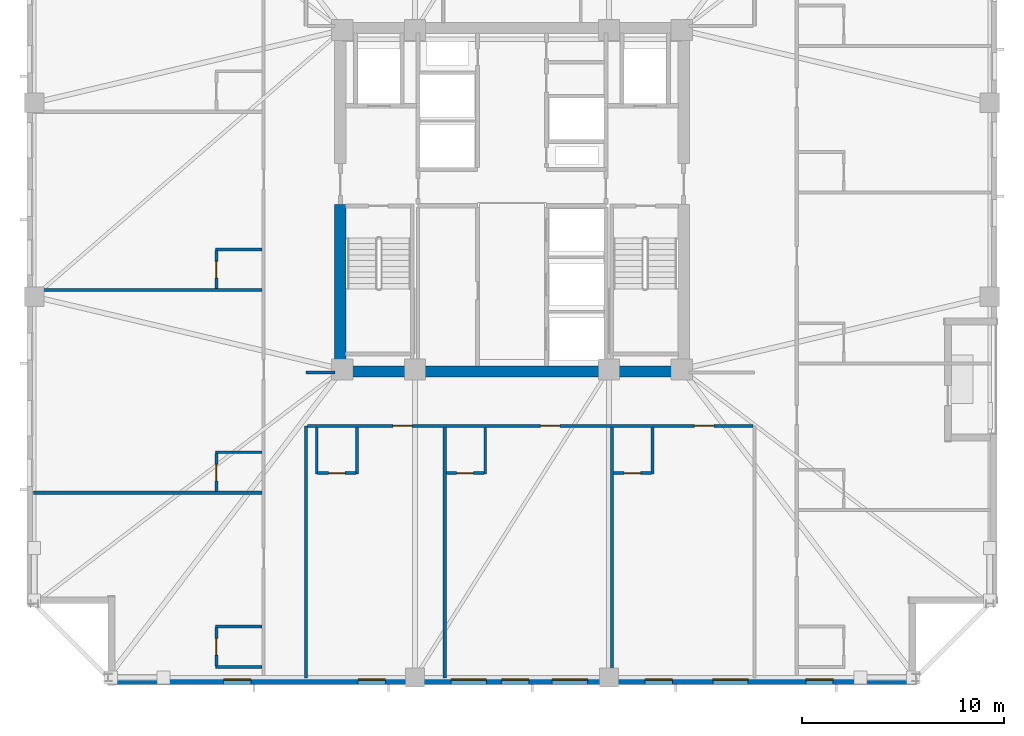
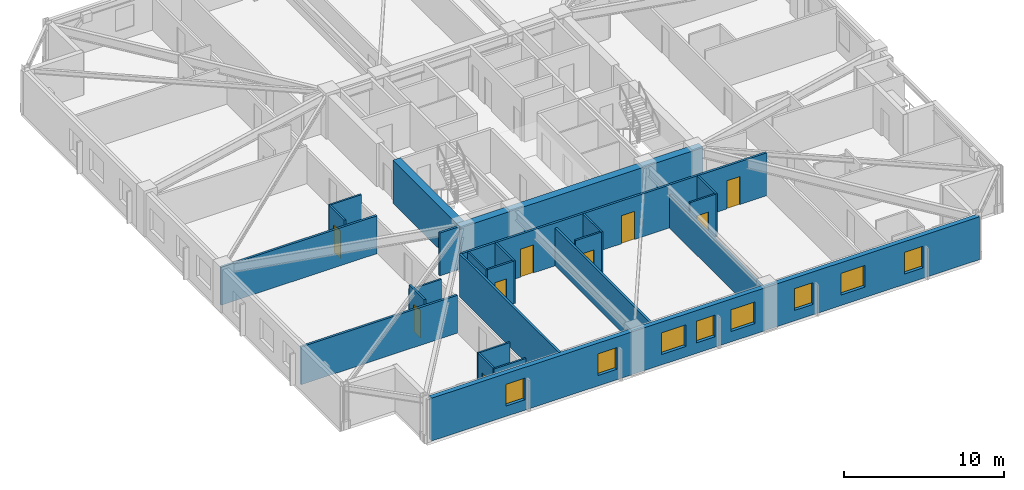
# One storey, part 2 of 11: 24 walls, 9 doors, 8 windows, 17 openings.
"""IFC4 building model written with IfcOpenShell, lengths in metres."""

from ifc_helpers import new_model, si_unit, direction, frame, frame_2d, origin, place, context, subcontext, project, spatial, rectangle, extrude, material, layer, layer_set, type_object, element, fill, save


model = new_model("IFC4")

# Units and contexts
model_context = context("Model", 3, precision=1e-05, world=origin(), true_north=direction((0.0, 1.0)))
body_context = subcontext(model_context, "Body", "Model", "MODEL_VIEW")
ifc_project = project(units=[si_unit("LENGTHUNIT", "METRE"), si_unit("AREAUNIT", "SQUARE_METRE"), si_unit("VOLUMEUNIT", "CUBIC_METRE"), si_unit("PLANEANGLEUNIT", "RADIAN"), si_unit("MASSUNIT", "GRAM", prefix="KILO")], contexts=[model_context])

# Site, building, storey
site_placement = place(None, origin())
site = spatial("IfcSite", under=ifc_project, at=site_placement, CompositionType="ELEMENT")
building_placement = place(site_placement, origin())
building = spatial("IfcBuilding", under=site, at=building_placement, Name="Cairnveth Concourse Tower", CompositionType="ELEMENT")
storey_placement = place(building_placement, frame((0.0, 0.0, 176.0)))
storey = spatial("IfcBuildingStorey", under=building, at=storey_placement, Name="L48", CompositionType="ELEMENT", Elevation=176.0)

# Walls
ifc_material_1 = material(Name="Gypsum Plasterboard Partition", Category="gypsum")
ifc_layer_1 = layer(ifc_material_1, 0.159912109375)
ifc_layer_set_1 = layer_set([ifc_layer_1], Name="Gypsum Plasterboard Partition")
wall_type_1 = type_object("IfcWallType", Name="ACOUSTIC PARTY WALL 180", PredefinedType="PARTITIONING", material=ifc_layer_set_1)
wall_1_placement = place(storey_placement, frame((41.800048828125, 15.324951171875, 0.0), z_axis=(0.0, 0.0, 1.0), x_axis=(0.0, 1.0, 0.0)))
element("IfcWall", 1, at=wall_1_placement, inside=storey, type_object=wall_type_1, Name="Interior Wall IW-L48-037", PredefinedType="PARTITIONING", context=body_context, shape_type="SweptSolid", body=[
    extrude(rectangle(XDim=12.47509765625, YDim=0.159912109375, at=frame_2d((6.237548828125, 0.0))), origin(), (0.0, 0.0, 1.0), 3.280029296875),
])
wall_2_placement = place(storey_placement, frame((41.800048828125, 30.449951171875, 0.0), z_axis=(0.0, 0.0, 1.0), x_axis=(1.0, 0.0, 0.0)))
element("IfcWall", 2, at=wall_2_placement, inside=storey, type_object=wall_type_1, Name="Interior Wall IW-L48-039", PredefinedType="PARTITIONING", context=body_context, shape_type="SweptSolid", body=[
    extrude(rectangle(XDim=1.43505859375, YDim=0.159912109375, at=frame_2d((0.717529296875, 0.0))), origin(), (0.0, 0.0, 1.0), 3.280029296875),
])

# Wall, openings, doors
wall_3_placement = place(storey_placement, frame((41.864990234375, 27.800048828125, 0.0), z_axis=(0.0, 0.0, 1.0), x_axis=(1.0, 0.0, 0.0)))
wall_3 = element("IfcWall", 3, at=wall_3_placement, inside=storey, type_object=wall_type_1, Name="Interior Wall IW-L48-046", PredefinedType="PARTITIONING", context=body_context, shape_type="SweptSolid", body=[
    extrude(rectangle(XDim=22.070068359375, YDim=0.159912109375, at=frame_2d((11.03515625, 0.0))), origin(), (0.0, 0.0, 1.0), 3.280029296875),
])
opening_1_placement = place(wall_3_placement, frame((4.232177734375, 0.0, 0.0)))
opening_1 = element("IfcOpeningElement", 4, at=opening_1_placement, cuts=wall_3, Name="Opening ID09", PredefinedType="OPENING", context=body_context, shape_type="SweptSolid", body=[
    extrude(rectangle(XDim=0.9599609375, YDim=2.14990234375, at=frame_2d((0.47998046875, 1.074951171875))), frame((0.0, 0.08984375, 0.0), z_axis=(0.0, -1.0, 0.0), x_axis=(1.0, 0.0, 0.0)), (0.0, 0.0, 1.0), 0.179931640625),
])
opening_2_placement = place(wall_3_placement, frame((11.544921875, 0.0, 0.0)))
opening_2 = element("IfcOpeningElement", 5, at=opening_2_placement, cuts=wall_3, Name="Opening ID09", PredefinedType="OPENING", context=body_context, shape_type="SweptSolid", body=[
    extrude(rectangle(XDim=0.9599609375, YDim=2.14990234375, at=frame_2d((0.47998046875, 1.074951171875))), frame((0.0, 0.08984375, 0.0), z_axis=(0.0, -1.0, 0.0), x_axis=(1.0, 0.0, 0.0)), (0.0, 0.0, 1.0), 0.179931640625),
])
opening_3_placement = place(wall_3_placement, frame((19.16796875, 0.0, 0.0)))
opening_3 = element("IfcOpeningElement", 6, at=opening_3_placement, cuts=wall_3, Name="Opening ID09", PredefinedType="OPENING", context=body_context, shape_type="SweptSolid", body=[
    extrude(rectangle(XDim=0.9599609375, YDim=2.14990234375, at=frame_2d((0.47998046875, 1.074951171875))), frame((0.0, 0.08984375, 0.0), z_axis=(0.0, -1.0, 0.0), x_axis=(1.0, 0.0, 0.0)), (0.0, 0.0, 1.0), 0.179931640625),
])
ifc_material_2 = material(Name="Solid Core Hardwood Timber Leaf", Category="wood")
door_type_1 = type_object("IfcDoorType", Name="HOTEL ENTRANCE DOOR 960X2150", OperationType="NOTDEFINED", PredefinedType="DOOR", material=ifc_material_2)
door_1_placement = place(opening_1_placement, origin())
door_1 = element("IfcDoor", 7, at=door_1_placement, inside=storey, type_object=door_type_1, Name="Hotel Room Door L48-S1", OperationType="SINGLE_SWING_LEFT", OverallHeight=2.14990234375, OverallWidth=0.9599609375, PredefinedType="DOOR", context=body_context, shape_type="SweptSolid", body=[
    extrude(rectangle(XDim=0.9599609375, YDim=2.14990234375, at=frame_2d((0.47998046875, 1.074951171875))), frame((0.0, 0.02490234375, 0.0), z_axis=(0.0, -1.0, 0.0), x_axis=(1.0, 0.0, 0.0)), (0.0, 0.0, 1.0), 0.050048828125),
])
fill(opening_1, door_1)
door_2_placement = place(opening_2_placement, origin())
door_2 = element("IfcDoor", 8, at=door_2_placement, inside=storey, type_object=door_type_1, Name="Hotel Room Door L48-S2", OperationType="SINGLE_SWING_LEFT", OverallHeight=2.14990234375, OverallWidth=0.9599609375, PredefinedType="DOOR", context=body_context, shape_type="SweptSolid", body=[
    extrude(rectangle(XDim=0.9599609375, YDim=2.14990234375, at=frame_2d((0.47998046875, 1.074951171875))), frame((0.0, 0.02490234375, 0.0), z_axis=(0.0, -1.0, 0.0), x_axis=(1.0, 0.0, 0.0)), (0.0, 0.0, 1.0), 0.050048828125),
])
fill(opening_2, door_2)
door_3_placement = place(opening_3_placement, origin())
door_3 = element("IfcDoor", 9, at=door_3_placement, inside=storey, type_object=door_type_1, Name="Hotel Room Door L48-S3", OperationType="SINGLE_SWING_LEFT", OverallHeight=2.14990234375, OverallWidth=0.9599609375, PredefinedType="DOOR", context=body_context, shape_type="SweptSolid", body=[
    extrude(rectangle(XDim=0.9599609375, YDim=2.14990234375, at=frame_2d((0.47998046875, 1.074951171875))), frame((0.0, 0.02490234375, 0.0), z_axis=(0.0, -1.0, 0.0), x_axis=(1.0, 0.0, 0.0)), (0.0, 0.0, 1.0), 0.050048828125),
])
fill(opening_3, door_3)

# Walls
wall_4_placement = place(storey_placement, frame((48.67431640625, 15.324951171875, 0.0), z_axis=(0.0, 0.0, 1.0), x_axis=(0.0, 1.0, 0.0)))
element("IfcWall", 10, at=wall_4_placement, inside=storey, type_object=wall_type_1, Name="Interior Wall IW-L48-052", PredefinedType="PARTITIONING", context=body_context, shape_type="SweptSolid", body=[
    extrude(rectangle(XDim=12.39501953125, YDim=0.159912109375, at=frame_2d((6.197509765625, 0.0))), origin(), (0.0, 0.0, 1.0), 2.89599609375),
])
wall_5_placement = place(storey_placement, frame((56.955810546875, 15.324951171875, 0.0), z_axis=(0.0, 0.0, 1.0), x_axis=(0.0, 1.0, 0.0)))
element("IfcWall", 11, at=wall_5_placement, inside=storey, type_object=wall_type_1, Name="Interior Wall IW-L48-055", PredefinedType="PARTITIONING", context=body_context, shape_type="SweptSolid", body=[
    extrude(rectangle(XDim=12.39501953125, YDim=0.159912109375, at=frame_2d((6.197509765625, 0.0))), origin(), (0.0, 0.0, 1.0), 2.554931640625),
])
for number, where, z_axis, x_axis, name in (
    (12, (28.324951171875, 24.492919921875, 0.0), (0.0, 0.0, 1.0), (1.0, 0.0, 0.0), "Interior Wall IW-L48-061"),
    (13, (28.324951171875, 34.53271484375, 0.0), (0.0, 0.0, 1.0), (1.0, 0.0, 0.0), "Interior Wall IW-L48-064"),
):
    element("IfcWall", number, at=place(storey_placement, frame(where, z_axis=z_axis, x_axis=x_axis)), inside=storey, type_object=wall_type_1, Name=name, PredefinedType="PARTITIONING", context=body_context, shape_type="SweptSolid", body=[
        extrude(rectangle(XDim=11.295166015625, YDim=0.159912109375, at=frame_2d((5.6474609375, 0.0))), origin(), (0.0, 0.0, 1.0), 2.89599609375),
    ])
ifc_material_3 = material(Name="Concrete N80 (80 MPa)", Category="concrete")
ifc_layer_2 = layer(ifc_material_3, 0.550048828125)
ifc_layer_set_2 = layer_set([ifc_layer_2], Name="Concrete N80 (80 MPa)")
wall_type_2 = type_object("IfcWallType", Name="CORE SHEAR WALL 550", PredefinedType="SHEAR", material=ifc_layer_set_2)
wall_6_placement = place(storey_placement, frame((43.22509765625, 30.5, 0.0), z_axis=(0.0, 0.0, 1.0), x_axis=(1.0, 0.0, 0.0)))
element("IfcWall", 14, at=wall_6_placement, inside=storey, type_object=wall_type_2, Name="Core South Shear Wall L48", PredefinedType="SHEAR", context=body_context, shape_type="SweptSolid", body=[
    extrude(rectangle(XDim=17.5498046875, YDim=0.550048828125, at=frame_2d((8.77490234375, 0.0))), origin(), (0.0, 0.0, 1.0), 3.280029296875),
])
wall_7_placement = place(storey_placement, frame((43.5, 30.764892578125, 0.0), z_axis=(0.0, 0.0, 1.0), x_axis=(0.0, 1.0, 0.0)))
element("IfcWall", 15, at=wall_7_placement, inside=storey, type_object=wall_type_2, Name="Core West Shear Wall S L48", PredefinedType="SHEAR", context=body_context, shape_type="SweptSolid", body=[
    extrude(rectangle(XDim=7.985107421875, YDim=0.550048828125, at=frame_2d((3.99267578125, 0.0))), origin(), (0.0, 0.0, 1.0), 3.280029296875),
])
ifc_layer_3 = layer(ifc_material_1, 0.1298828125)
ifc_layer_set_3 = layer_set([ifc_layer_3], Name="Gypsum Plasterboard Partition")
wall_type_3 = type_object("IfcWallType", Name="WET AREA PARTITION 140", PredefinedType="PLUMBINGWALL", material=ifc_layer_set_3)
for number, where, z_axis, x_axis, name in (
    (16, (42.330078125, 25.419921875, 0.0), (0.0, 0.0, 1.0), (0.0, 1.0, 0.0), "Interior Wall IW-L48-049"),
    (17, (44.330078125, 25.419921875, 0.0), (0.0, 0.0, 1.0), (0.0, 1.0, 0.0), "Interior Wall IW-L48-050"),
):
    element("IfcWall", number, at=place(storey_placement, frame(where, z_axis=z_axis, x_axis=x_axis)), inside=storey, type_object=wall_type_3, Name=name, PredefinedType="PLUMBINGWALL", context=body_context, shape_type="SweptSolid", body=[
        extrude(rectangle(XDim=2.315185546875, YDim=0.1298828125, at=frame_2d((1.15771484375, 0.0))), origin(), (0.0, 0.0, 1.0), 3.280029296875),
    ])

# Wall, opening, door
wall_8_placement = place(storey_placement, frame((42.3798828125, 25.469970703125, 0.0), z_axis=(0.0, 0.0, 1.0), x_axis=(1.0, 0.0, 0.0)))
wall_8 = element("IfcWall", 18, at=wall_8_placement, inside=storey, type_object=wall_type_3, Name="Interior Wall IW-L48-051", PredefinedType="PLUMBINGWALL", context=body_context, shape_type="SweptSolid", body=[
    extrude(rectangle(XDim=1.900146484375, YDim=0.1298828125, at=frame_2d((0.9501953125, 0.0))), origin(), (0.0, 0.0, 1.0), 3.280029296875),
])
opening_4_placement = place(wall_8_placement, frame((0.5400390625, 0.0, 0.0)))
opening_4 = element("IfcOpeningElement", 19, at=opening_4_placement, cuts=wall_8, Name="Opening ID22", PredefinedType="OPENING", context=body_context, shape_type="SweptSolid", body=[
    extrude(rectangle(XDim=0.820068359375, YDim=2.10009765625, at=frame_2d((0.41015625, 1.050048828125))), frame((0.0, 0.074951171875, 0.0), z_axis=(0.0, -1.0, 0.0), x_axis=(1.0, 0.0, 0.0)), (0.0, 0.0, 1.0), 0.14990234375),
])
door_type_2 = type_object("IfcDoorType", Name="INTERIOR WC DOOR 820X2100", OperationType="NOTDEFINED", PredefinedType="DOOR", material=ifc_material_2)
door_4_placement = place(opening_4_placement, origin())
door_4 = element("IfcDoor", 20, at=door_4_placement, inside=storey, type_object=door_type_2, Name="En-Suite Door L48-S1", OperationType="SINGLE_SWING_RIGHT", OverallHeight=2.10009765625, OverallWidth=0.820068359375, PredefinedType="DOOR", context=body_context, shape_type="SweptSolid", body=[
    extrude(rectangle(XDim=0.820068359375, YDim=2.10009765625, at=frame_2d((0.41015625, 1.050048828125))), frame((0.0, 0.02490234375, 0.0), z_axis=(0.0, -1.0, 0.0), x_axis=(1.0, 0.0, 0.0)), (0.0, 0.0, 1.0), 0.050048828125),
])
fill(opening_4, door_4)

# Wall
wall_9_placement = place(storey_placement, frame((50.67431640625, 25.419921875, 0.0), z_axis=(0.0, 0.0, 1.0), x_axis=(0.0, 1.0, 0.0)))
element("IfcWall", 21, at=wall_9_placement, inside=storey, type_object=wall_type_3, Name="Interior Wall IW-L48-053", PredefinedType="PLUMBINGWALL", context=body_context, shape_type="SweptSolid", body=[
    extrude(rectangle(XDim=2.315185546875, YDim=0.1298828125, at=frame_2d((1.15771484375, 0.0))), origin(), (0.0, 0.0, 1.0), 3.280029296875),
])

# Wall, opening, door
wall_10_placement = place(storey_placement, frame((48.7392578125, 25.469970703125, 0.0), z_axis=(0.0, 0.0, 1.0), x_axis=(1.0, 0.0, 0.0)))
wall_10 = element("IfcWall", 22, at=wall_10_placement, inside=storey, type_object=wall_type_3, Name="Interior Wall IW-L48-054", PredefinedType="PLUMBINGWALL", context=body_context, shape_type="SweptSolid", body=[
    extrude(rectangle(XDim=1.885009765625, YDim=0.1298828125, at=frame_2d((0.9423828125, 0.0))), origin(), (0.0, 0.0, 1.0), 3.280029296875),
])
opening_5_placement = place(wall_10_placement, frame((0.52490234375, 0.0, 0.0)))
opening_5 = element("IfcOpeningElement", 23, at=opening_5_placement, cuts=wall_10, Name="Opening ID22", PredefinedType="OPENING", context=body_context, shape_type="SweptSolid", body=[
    extrude(rectangle(XDim=0.820068359375, YDim=2.10009765625, at=frame_2d((0.41015625, 1.050048828125))), frame((0.0, 0.074951171875, 0.0), z_axis=(0.0, -1.0, 0.0), x_axis=(1.0, 0.0, 0.0)), (0.0, 0.0, 1.0), 0.14990234375),
])
door_5_placement = place(opening_5_placement, origin())
door_5 = element("IfcDoor", 24, at=door_5_placement, inside=storey, type_object=door_type_2, Name="En-Suite Door L48-S2", OperationType="SINGLE_SWING_RIGHT", OverallHeight=2.10009765625, OverallWidth=0.820068359375, PredefinedType="DOOR", context=body_context, shape_type="SweptSolid", body=[
    extrude(rectangle(XDim=0.820068359375, YDim=2.10009765625, at=frame_2d((0.41015625, 1.050048828125))), frame((0.0, 0.02490234375, 0.0), z_axis=(0.0, -1.0, 0.0), x_axis=(1.0, 0.0, 0.0)), (0.0, 0.0, 1.0), 0.050048828125),
])
fill(opening_5, door_5)

# Wall
wall_11_placement = place(storey_placement, frame((58.955810546875, 25.419921875, 0.0), z_axis=(0.0, 0.0, 1.0), x_axis=(0.0, 1.0, 0.0)))
element("IfcWall", 25, at=wall_11_placement, inside=storey, type_object=wall_type_3, Name="Interior Wall IW-L48-056", PredefinedType="PLUMBINGWALL", context=body_context, shape_type="SweptSolid", body=[
    extrude(rectangle(XDim=2.315185546875, YDim=0.1298828125, at=frame_2d((1.15771484375, 0.0))), origin(), (0.0, 0.0, 1.0), 3.280029296875),
])

# Wall, opening, door
wall_12_placement = place(storey_placement, frame((57.020751953125, 25.469970703125, 0.0), z_axis=(0.0, 0.0, 1.0), x_axis=(1.0, 0.0, 0.0)))
wall_12 = element("IfcWall", 26, at=wall_12_placement, inside=storey, type_object=wall_type_3, Name="Interior Wall IW-L48-057", PredefinedType="PLUMBINGWALL", context=body_context, shape_type="SweptSolid", body=[
    extrude(rectangle(XDim=1.885009765625, YDim=0.1298828125, at=frame_2d((0.9423828125, 0.0))), origin(), (0.0, 0.0, 1.0), 3.280029296875),
])
opening_6_placement = place(wall_12_placement, frame((0.52490234375, 0.0, 0.0)))
opening_6 = element("IfcOpeningElement", 27, at=opening_6_placement, cuts=wall_12, Name="Opening ID22", PredefinedType="OPENING", context=body_context, shape_type="SweptSolid", body=[
    extrude(rectangle(XDim=0.820068359375, YDim=2.10009765625, at=frame_2d((0.41015625, 1.050048828125))), frame((0.0, 0.074951171875, 0.0), z_axis=(0.0, -1.0, 0.0), x_axis=(1.0, 0.0, 0.0)), (0.0, 0.0, 1.0), 0.14990234375),
])
door_6_placement = place(opening_6_placement, origin())
door_6 = element("IfcDoor", 28, at=door_6_placement, inside=storey, type_object=door_type_2, Name="En-Suite Door L48-S3", OperationType="SINGLE_SWING_RIGHT", OverallHeight=2.10009765625, OverallWidth=0.820068359375, PredefinedType="DOOR", context=body_context, shape_type="SweptSolid", body=[
    extrude(rectangle(XDim=0.820068359375, YDim=2.10009765625, at=frame_2d((0.41015625, 1.050048828125))), frame((0.0, 0.02490234375, 0.0), z_axis=(0.0, -1.0, 0.0), x_axis=(1.0, 0.0, 0.0)), (0.0, 0.0, 1.0), 0.050048828125),
])
fill(opening_6, door_6)

# Walls
for number, where, z_axis, x_axis, name in (
    (29, (37.320068359375, 15.8701171875, 0.0), (0.0, 0.0, 1.0), (1.0, 0.0, 0.0), "Interior Wall IW-L48-058"),
    (30, (37.320068359375, 17.8701171875, 0.0), (0.0, 0.0, 1.0), (1.0, 0.0, 0.0), "Interior Wall IW-L48-059"),
):
    element("IfcWall", number, at=place(storey_placement, frame(where, z_axis=z_axis, x_axis=x_axis)), inside=storey, type_object=wall_type_3, Name=name, PredefinedType="PLUMBINGWALL", context=body_context, shape_type="SweptSolid", body=[
        extrude(rectangle(XDim=2.31494140625, YDim=0.1298828125, at=frame_2d((1.157470703125, 0.0))), origin(), (0.0, 0.0, 1.0), 3.280029296875),
    ])

# Wall, opening, door
wall_13_placement = place(storey_placement, frame((37.3701171875, 15.919921875, 0.0), z_axis=(0.0, 0.0, 1.0), x_axis=(0.0, 1.0, 0.0)))
wall_13 = element("IfcWall", 31, at=wall_13_placement, inside=storey, type_object=wall_type_3, Name="Interior Wall IW-L48-060", PredefinedType="PLUMBINGWALL", context=body_context, shape_type="SweptSolid", body=[
    extrude(rectangle(XDim=1.900146484375, YDim=0.1298828125, at=frame_2d((0.9501953125, 0.0))), origin(), (0.0, 0.0, 1.0), 3.280029296875),
])
opening_7_placement = place(wall_13_placement, frame((0.5400390625, 0.0, 0.0)))
opening_7 = element("IfcOpeningElement", 32, at=opening_7_placement, cuts=wall_13, Name="Opening ID22", PredefinedType="OPENING", context=body_context, shape_type="SweptSolid", body=[
    extrude(rectangle(XDim=0.820068359375, YDim=2.10009765625, at=frame_2d((0.41015625, 1.050048828125))), frame((0.0, 0.074951171875, 0.0), z_axis=(0.0, -1.0, 0.0), x_axis=(1.0, 0.0, 0.0)), (0.0, 0.0, 1.0), 0.14990234375),
])
door_7_placement = place(opening_7_placement, origin())
door_7 = element("IfcDoor", 33, at=door_7_placement, inside=storey, type_object=door_type_2, Name="En-Suite Door L48-W1", OperationType="SINGLE_SWING_RIGHT", OverallHeight=2.10009765625, OverallWidth=0.820068359375, PredefinedType="DOOR", context=body_context, shape_type="SweptSolid", body=[
    extrude(rectangle(XDim=0.820068359375, YDim=2.10009765625, at=frame_2d((0.41015625, 1.050048828125))), frame((0.0, 0.02490234375, 0.0), z_axis=(0.0, -1.0, 0.0), x_axis=(1.0, 0.0, 0.0)), (0.0, 0.0, 1.0), 0.050048828125),
])
fill(opening_7, door_7)

# Wall
wall_14_placement = place(storey_placement, frame((37.320068359375, 26.492919921875, 0.0), z_axis=(0.0, 0.0, 1.0), x_axis=(1.0, 0.0, 0.0)))
element("IfcWall", 34, at=wall_14_placement, inside=storey, type_object=wall_type_3, Name="Interior Wall IW-L48-062", PredefinedType="PLUMBINGWALL", context=body_context, shape_type="SweptSolid", body=[
    extrude(rectangle(XDim=2.31494140625, YDim=0.1298828125, at=frame_2d((1.157470703125, 0.0))), origin(), (0.0, 0.0, 1.0), 2.89599609375),
])

# Wall, opening, door
wall_15_placement = place(storey_placement, frame((37.3701171875, 24.557861328125, 0.0), z_axis=(0.0, 0.0, 1.0), x_axis=(0.0, 1.0, 0.0)))
wall_15 = element("IfcWall", 35, at=wall_15_placement, inside=storey, type_object=wall_type_3, Name="Interior Wall IW-L48-063", PredefinedType="PLUMBINGWALL", context=body_context, shape_type="SweptSolid", body=[
    extrude(rectangle(XDim=1.885009765625, YDim=0.1298828125, at=frame_2d((0.9423828125, 0.0))), origin(), (0.0, 0.0, 1.0), 3.280029296875),
])
opening_8_placement = place(wall_15_placement, frame((0.52490234375, 0.0, 0.0)))
opening_8 = element("IfcOpeningElement", 36, at=opening_8_placement, cuts=wall_15, Name="Opening ID22", PredefinedType="OPENING", context=body_context, shape_type="SweptSolid", body=[
    extrude(rectangle(XDim=0.820068359375, YDim=2.10009765625, at=frame_2d((0.41015625, 1.050048828125))), frame((0.0, 0.074951171875, 0.0), z_axis=(0.0, -1.0, 0.0), x_axis=(1.0, 0.0, 0.0)), (0.0, 0.0, 1.0), 0.14990234375),
])
door_8_placement = place(opening_8_placement, origin())
door_8 = element("IfcDoor", 37, at=door_8_placement, inside=storey, type_object=door_type_2, Name="En-Suite Door L48-W2", OperationType="SINGLE_SWING_RIGHT", OverallHeight=2.10009765625, OverallWidth=0.820068359375, PredefinedType="DOOR", context=body_context, shape_type="SweptSolid", body=[
    extrude(rectangle(XDim=0.820068359375, YDim=2.10009765625, at=frame_2d((0.41015625, 1.050048828125))), frame((0.0, 0.02490234375, 0.0), z_axis=(0.0, -1.0, 0.0), x_axis=(1.0, 0.0, 0.0)), (0.0, 0.0, 1.0), 0.050048828125),
])
fill(opening_8, door_8)

# Wall
wall_16_placement = place(storey_placement, frame((37.320068359375, 36.53271484375, 0.0), z_axis=(0.0, 0.0, 1.0), x_axis=(1.0, 0.0, 0.0)))
element("IfcWall", 38, at=wall_16_placement, inside=storey, type_object=wall_type_3, Name="Interior Wall IW-L48-065", PredefinedType="PLUMBINGWALL", context=body_context, shape_type="SweptSolid", body=[
    extrude(rectangle(XDim=2.31494140625, YDim=0.1298828125, at=frame_2d((1.157470703125, 0.0))), origin(), (0.0, 0.0, 1.0), 3.280029296875),
])

# Wall, opening, door
wall_17_placement = place(storey_placement, frame((37.3701171875, 34.59765625, 0.0), z_axis=(0.0, 0.0, 1.0), x_axis=(0.0, 1.0, 0.0)))
wall_17 = element("IfcWall", 39, at=wall_17_placement, inside=storey, type_object=wall_type_3, Name="Interior Wall IW-L48-066", PredefinedType="PLUMBINGWALL", context=body_context, shape_type="SweptSolid", body=[
    extrude(rectangle(XDim=1.885009765625, YDim=0.1298828125, at=frame_2d((0.9423828125, 0.0))), origin(), (0.0, 0.0, 1.0), 3.280029296875),
])
opening_9_placement = place(wall_17_placement, frame((0.52490234375, 0.0, 0.0)))
opening_9 = element("IfcOpeningElement", 40, at=opening_9_placement, cuts=wall_17, Name="Opening ID22", PredefinedType="OPENING", context=body_context, shape_type="SweptSolid", body=[
    extrude(rectangle(XDim=0.820068359375, YDim=2.10009765625, at=frame_2d((0.41015625, 1.050048828125))), frame((0.0, 0.074951171875, 0.0), z_axis=(0.0, -1.0, 0.0), x_axis=(1.0, 0.0, 0.0)), (0.0, 0.0, 1.0), 0.14990234375),
])
door_9_placement = place(opening_9_placement, origin())
door_9 = element("IfcDoor", 41, at=door_9_placement, inside=storey, type_object=door_type_2, Name="En-Suite Door L48-W3", OperationType="SINGLE_SWING_RIGHT", OverallHeight=2.10009765625, OverallWidth=0.820068359375, PredefinedType="DOOR", context=body_context, shape_type="SweptSolid", body=[
    extrude(rectangle(XDim=0.820068359375, YDim=2.10009765625, at=frame_2d((0.41015625, 1.050048828125))), frame((0.0, 0.02490234375, 0.0), z_axis=(0.0, -1.0, 0.0), x_axis=(1.0, 0.0, 0.0)), (0.0, 0.0, 1.0), 0.050048828125),
])
fill(opening_9, door_9)

# Wall, openings, windows
ifc_material_4 = material(Name="Hawthorn Red-Ochre Fired Clay Brick Masonry", Category="masonry")
ifc_layer_4 = layer(ifc_material_4, 0.340087890625)
ifc_layer_set_4 = layer_set([ifc_layer_4], Name="Hawthorn Red-Ochre Fired Clay Brick Masonry")
wall_type_4 = type_object("IfcWallType", Name="ZONE 2 BRICK PIER SPANDREL WALL 340", PredefinedType="SOLIDWALL", material=ifc_layer_set_4)
wall_18_placement = place(storey_placement, frame((72.0, 15.169921875, 0.0), z_axis=(0.0, 0.0, 1.0), x_axis=(-1.0, 0.0, 0.0)))
wall_18 = element("IfcWall", 42, at=wall_18_placement, inside=storey, type_object=wall_type_4, Name="Exterior Wall EW-L48-S03", PredefinedType="SOLIDWALL", context=body_context, shape_type="SweptSolid", body=[
    extrude(rectangle(XDim=39.681884765625, YDim=0.340087890625, at=frame_2d((19.8408203125, 0.0))), origin(), (0.0, 0.0, 1.0), 3.280029296875),
])
opening_10_placement = place(wall_18_placement, frame((4.101806640625, 0.0, 0.800048828125)))
opening_10 = element("IfcOpeningElement", 43, at=opening_10_placement, cuts=wall_18, Name="Opening W02", PredefinedType="OPENING", context=body_context, shape_type="SweptSolid", body=[
    extrude(rectangle(XDim=1.35009765625, YDim=1.659912109375, at=frame_2d((0.675048828125, 0.830078125))), frame((0.0, 0.179931640625, 0.0), z_axis=(0.0, -1.0, 0.0), x_axis=(1.0, 0.0, 0.0)), (0.0, 0.0, 1.0), 0.360107421875),
])
opening_11_placement = place(wall_18_placement, frame((8.305419921875, 0.0, 0.800048828125)))
opening_11 = element("IfcOpeningElement", 44, at=opening_11_placement, cuts=wall_18, Name="Opening W06", PredefinedType="OPENING", context=body_context, shape_type="SweptSolid", body=[
    extrude(rectangle(XDim=1.75, YDim=1.659912109375, at=frame_2d((0.875, 0.830078125))), frame((0.0, 0.179931640625, 0.0), z_axis=(0.0, -1.0, 0.0), x_axis=(1.0, 0.0, 0.0)), (0.0, 0.0, 1.0), 0.360107421875),
])
opening_12_placement = place(wall_18_placement, frame((12.058837890625, 0.0, 0.800048828125)))
opening_12 = element("IfcOpeningElement", 45, at=opening_12_placement, cuts=wall_18, Name="Opening W02", PredefinedType="OPENING", context=body_context, shape_type="SweptSolid", body=[
    extrude(rectangle(XDim=1.35009765625, YDim=1.659912109375, at=frame_2d((0.675048828125, 0.830078125))), frame((0.0, 0.179931640625, 0.0), z_axis=(0.0, -1.0, 0.0), x_axis=(1.0, 0.0, 0.0)), (0.0, 0.0, 1.0), 0.360107421875),
])
opening_13_placement = place(wall_18_placement, frame((16.262451171875, 0.0, 0.800048828125)))
opening_13 = element("IfcOpeningElement", 46, at=opening_13_placement, cuts=wall_18, Name="Opening W06", PredefinedType="OPENING", context=body_context, shape_type="SweptSolid", body=[
    extrude(rectangle(XDim=1.75, YDim=1.659912109375, at=frame_2d((0.875, 0.830078125))), frame((0.0, 0.179931640625, 0.0), z_axis=(0.0, -1.0, 0.0), x_axis=(1.0, 0.0, 0.0)), (0.0, 0.0, 1.0), 0.360107421875),
])
opening_14_placement = place(wall_18_placement, frame((19.166015625, 0.0, 0.800048828125)))
opening_14 = element("IfcOpeningElement", 47, at=opening_14_placement, cuts=wall_18, Name="Opening W02", PredefinedType="OPENING", context=body_context, shape_type="SweptSolid", body=[
    extrude(rectangle(XDim=1.35009765625, YDim=1.659912109375, at=frame_2d((0.675048828125, 0.830078125))), frame((0.0, 0.179931640625, 0.0), z_axis=(0.0, -1.0, 0.0), x_axis=(1.0, 0.0, 0.0)), (0.0, 0.0, 1.0), 0.360107421875),
])
opening_15_placement = place(wall_18_placement, frame((21.26953125, 0.0, 0.800048828125)))
opening_15 = element("IfcOpeningElement", 48, at=opening_15_placement, cuts=wall_18, Name="Opening W06", PredefinedType="OPENING", context=body_context, shape_type="SweptSolid", body=[
    extrude(rectangle(XDim=1.75, YDim=1.659912109375, at=frame_2d((0.875, 0.830078125))), frame((0.0, 0.179931640625, 0.0), z_axis=(0.0, -1.0, 0.0), x_axis=(1.0, 0.0, 0.0)), (0.0, 0.0, 1.0), 0.360107421875),
])
opening_16_placement = place(wall_18_placement, frame((26.273193359375, 0.0, 0.800048828125)))
opening_16 = element("IfcOpeningElement", 49, at=opening_16_placement, cuts=wall_18, Name="Opening W02", PredefinedType="OPENING", context=body_context, shape_type="SweptSolid", body=[
    extrude(rectangle(XDim=1.35009765625, YDim=1.659912109375, at=frame_2d((0.675048828125, 0.830078125))), frame((0.0, 0.179931640625, 0.0), z_axis=(0.0, -1.0, 0.0), x_axis=(1.0, 0.0, 0.0)), (0.0, 0.0, 1.0), 0.360107421875),
])
opening_17_placement = place(wall_18_placement, frame((32.93017578125, 0.0, 0.800048828125)))
opening_17 = element("IfcOpeningElement", 50, at=opening_17_placement, cuts=wall_18, Name="Opening W02", PredefinedType="OPENING", context=body_context, shape_type="SweptSolid", body=[
    extrude(rectangle(XDim=1.35009765625, YDim=1.659912109375, at=frame_2d((0.675048828125, 0.830078125))), frame((0.0, 0.179931640625, 0.0), z_axis=(0.0, -1.0, 0.0), x_axis=(1.0, 0.0, 0.0)), (0.0, 0.0, 1.0), 0.360107421875),
])
ifc_material_5 = material(Name="Double Glazed Low-E Clear Glass", Category="glass")
window_type_1 = type_object("IfcWindowType", Name="DEEP-SET GOTHIC LANCET WINDOW 1350X1800", PartitioningType="DOUBLE_PANEL_VERTICAL", PredefinedType="WINDOW", material=ifc_material_5)
window_1_placement = place(opening_10_placement, origin())
window_1 = element("IfcWindow", 51, at=window_1_placement, inside=storey, type_object=window_type_1, Name="Gothic Lancet Window L48-3-1", OverallHeight=1.659912109375, OverallWidth=1.35009765625, PartitioningType="SINGLE_PANEL", PredefinedType="WINDOW", context=body_context, shape_type="SweptSolid", body=[
    extrude(rectangle(XDim=1.35009765625, YDim=1.659912109375, at=frame_2d((0.675048828125, 0.830078125))), frame((0.0, -0.050048828125, 0.0), z_axis=(0.0, -1.0, 0.0), x_axis=(1.0, 0.0, 0.0)), (0.0, 0.0, 1.0), 0.06005859375),
])
fill(opening_10, window_1)
window_2_placement = place(opening_12_placement, origin())
window_2 = element("IfcWindow", 52, at=window_2_placement, inside=storey, type_object=window_type_1, Name="Gothic Lancet Window L48-3-3", OverallHeight=1.659912109375, OverallWidth=1.35009765625, PartitioningType="SINGLE_PANEL", PredefinedType="WINDOW", context=body_context, shape_type="SweptSolid", body=[
    extrude(rectangle(XDim=1.35009765625, YDim=1.659912109375, at=frame_2d((0.675048828125, 0.830078125))), frame((0.0, -0.050048828125, 0.0), z_axis=(0.0, -1.0, 0.0), x_axis=(1.0, 0.0, 0.0)), (0.0, 0.0, 1.0), 0.06005859375),
])
fill(opening_12, window_2)
window_3_placement = place(opening_14_placement, origin())
window_3 = element("IfcWindow", 53, at=window_3_placement, inside=storey, type_object=window_type_1, Name="Gothic Lancet Window L48-3-5", OverallHeight=1.659912109375, OverallWidth=1.35009765625, PartitioningType="SINGLE_PANEL", PredefinedType="WINDOW", context=body_context, shape_type="SweptSolid", body=[
    extrude(rectangle(XDim=1.35009765625, YDim=1.659912109375, at=frame_2d((0.675048828125, 0.830078125))), frame((0.0, -0.050048828125, 0.0), z_axis=(0.0, -1.0, 0.0), x_axis=(1.0, 0.0, 0.0)), (0.0, 0.0, 1.0), 0.06005859375),
])
fill(opening_14, window_3)
window_4_placement = place(opening_16_placement, origin())
window_4 = element("IfcWindow", 54, at=window_4_placement, inside=storey, type_object=window_type_1, Name="Gothic Lancet Window L48-3-7", OverallHeight=1.659912109375, OverallWidth=1.35009765625, PartitioningType="SINGLE_PANEL", PredefinedType="WINDOW", context=body_context, shape_type="SweptSolid", body=[
    extrude(rectangle(XDim=1.35009765625, YDim=1.659912109375, at=frame_2d((0.675048828125, 0.830078125))), frame((0.0, -0.050048828125, 0.0), z_axis=(0.0, -1.0, 0.0), x_axis=(1.0, 0.0, 0.0)), (0.0, 0.0, 1.0), 0.06005859375),
])
fill(opening_16, window_4)
window_5_placement = place(opening_17_placement, origin())
window_5 = element("IfcWindow", 55, at=window_5_placement, inside=storey, type_object=window_type_1, Name="Gothic Lancet Window L48-3-9", OverallHeight=1.659912109375, OverallWidth=1.35009765625, PartitioningType="SINGLE_PANEL", PredefinedType="WINDOW", context=body_context, shape_type="SweptSolid", body=[
    extrude(rectangle(XDim=1.35009765625, YDim=1.659912109375, at=frame_2d((0.675048828125, 0.830078125))), frame((0.0, -0.050048828125, 0.0), z_axis=(0.0, -1.0, 0.0), x_axis=(1.0, 0.0, 0.0)), (0.0, 0.0, 1.0), 0.06005859375),
])
fill(opening_17, window_5)
window_type_2 = type_object("IfcWindowType", Name="DEEP-SET HOTEL SUITE WINDOW 1750X1800", PartitioningType="DOUBLE_PANEL_VERTICAL", PredefinedType="WINDOW", material=ifc_material_5)
window_6_placement = place(opening_11_placement, origin())
window_6 = element("IfcWindow", 56, at=window_6_placement, inside=storey, type_object=window_type_2, Name="Gothic Lancet Window L48-3-2", OverallHeight=1.659912109375, OverallWidth=1.75, PartitioningType="SINGLE_PANEL", PredefinedType="WINDOW", context=body_context, shape_type="SweptSolid", body=[
    extrude(rectangle(XDim=1.75, YDim=1.659912109375, at=frame_2d((0.875, 0.830078125))), frame((0.0, -0.050048828125, 0.0), z_axis=(0.0, -1.0, 0.0), x_axis=(1.0, 0.0, 0.0)), (0.0, 0.0, 1.0), 0.06005859375),
])
fill(opening_11, window_6)
window_7_placement = place(opening_13_placement, origin())
window_7 = element("IfcWindow", 57, at=window_7_placement, inside=storey, type_object=window_type_2, Name="Gothic Lancet Window L48-3-4", OverallHeight=1.659912109375, OverallWidth=1.75, PartitioningType="SINGLE_PANEL", PredefinedType="WINDOW", context=body_context, shape_type="SweptSolid", body=[
    extrude(rectangle(XDim=1.75, YDim=1.659912109375, at=frame_2d((0.875, 0.830078125))), frame((0.0, -0.050048828125, 0.0), z_axis=(0.0, -1.0, 0.0), x_axis=(1.0, 0.0, 0.0)), (0.0, 0.0, 1.0), 0.06005859375),
])
fill(opening_13, window_7)
window_8_placement = place(opening_15_placement, origin())
window_8 = element("IfcWindow", 58, at=window_8_placement, inside=storey, type_object=window_type_2, Name="Gothic Lancet Window L48-3-6", OverallHeight=1.659912109375, OverallWidth=1.75, PartitioningType="SINGLE_PANEL", PredefinedType="WINDOW", context=body_context, shape_type="SweptSolid", body=[
    extrude(rectangle(XDim=1.75, YDim=1.659912109375, at=frame_2d((0.875, 0.830078125))), frame((0.0, -0.050048828125, 0.0), z_axis=(0.0, -1.0, 0.0), x_axis=(1.0, 0.0, 0.0)), (0.0, 0.0, 1.0), 0.06005859375),
])
fill(opening_15, window_8)

save(model, "model.ifc")
